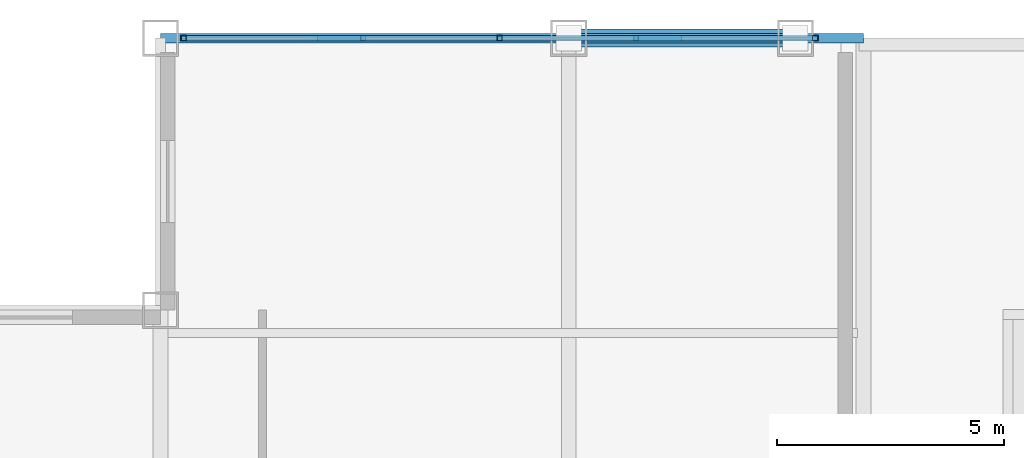
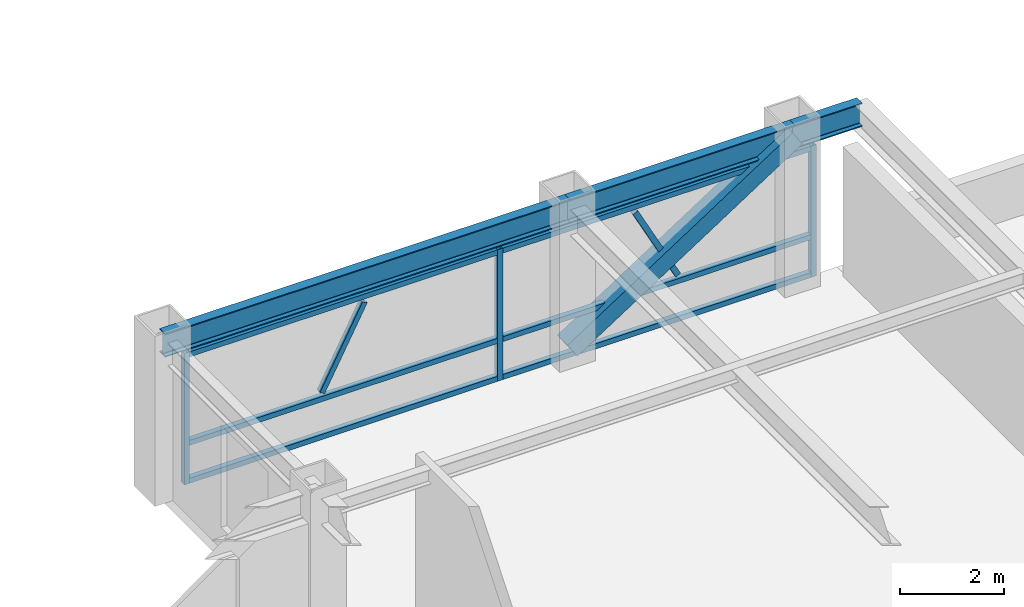
# One storey, part 19 of 29: 12 members, 3 beams, 1 element without a shape of its own.
"""IFC4 building model written with IfcOpenShell, lengths in metres."""

import ifcopenshell
import ifcopenshell.guid

model = None  # the IFC model being written
_history = None  # IfcOwnerHistory: only IFC2X3 demands one
_inside = {}  # id of a spatial element -> (the spatial element, [elements in it])
_under = {}  # id of a project, library or spatial element -> (it, [spatial elements below it])
_declared = {}  # id of a project -> (the project, [libraries it declares])
_typed = {}  # id of a type object -> (the type object, [elements of that type])
_made_of = {}  # id of a material, layer set ... -> (it, [elements and type objects made of it])


def new_model(schema):
    """Start an empty IFC model of exactly this schema.

    Asked for "IFC4X3", IfcOpenShell would pick the latest addendum, in which some entities
    have other attributes; the version numbers below select the first issue.
    IFC2X3 requires an IfcOwnerHistory on every rooted entity: one is made here for all.
    """
    global model, _history
    if schema == "IFC4X3":
        model = ifcopenshell.file(schema_version=(4, 3, 0, 0))
    else:
        model = ifcopenshell.file(schema=schema)
    _inside.clear()
    _under.clear()
    _declared.clear()
    _typed.clear()
    _made_of.clear()
    _history = None
    if model.schema == "IFC2X3":
        org = make("IfcOrganization", Name="unknown")
        user = make(
            "IfcPersonAndOrganization",
            ThePerson=make("IfcPerson", FamilyName="unknown"),
            TheOrganization=org,
        )
        app = make(
            "IfcApplication",
            ApplicationDeveloper=org,
            Version="unknown",
            ApplicationFullName="unknown",
            ApplicationIdentifier="unknown",
        )
        _history = make(
            "IfcOwnerHistory",
            OwningUser=user,
            OwningApplication=app,
            ChangeAction="ADDED",
            CreationDate=0,
        )
    return model


def make(cls, **values):
    """One entity of the class cls with the attributes given. An attribute that is None is left unset."""
    return model.create_entity(
        cls, **{name: value for name, value in values.items() if value is not None}
    )


def rooted(cls, **values):
    """An entity with a GlobalId (a new one), such as an element, a storey or a relation."""
    return make(cls, GlobalId=ifcopenshell.guid.new(), OwnerHistory=_history, **values)


def si_unit(unit_type, name, prefix=None):
    """IfcSIUnit, for example si_unit("LENGTHUNIT", "METRE", prefix="MILLI")."""
    return make("IfcSIUnit", UnitType=unit_type, Prefix=prefix, Name=name)


def assignment(units):
    """IfcUnitAssignment: the units of a project."""
    return None if units is None else make("IfcUnitAssignment", Units=units)


def point(xyz):
    """IfcCartesianPoint."""
    return None if xyz is None else make("IfcCartesianPoint", Coordinates=xyz)


def direction(xyz):
    """IfcDirection."""
    return None if xyz is None else make("IfcDirection", DirectionRatios=xyz)


def frame(location, z_axis=None, x_axis=None):
    """IfcAxis2Placement3D, a coordinate frame: its origin and axes. An axis left out is left unset."""
    return make(
        "IfcAxis2Placement3D",
        Location=point(location),
        Axis=direction(z_axis),
        RefDirection=direction(x_axis),
    )


def frame_2d(location, x_axis=None):
    """IfcAxis2Placement2D, a coordinate frame in the plane: its origin and x axis."""
    return make(
        "IfcAxis2Placement2D", Location=point(location), RefDirection=direction(x_axis)
    )


def origin():
    """The frame at (0, 0, 0) with its axes left unset."""
    return frame((0.0, 0.0, 0.0))


def origin_2d():
    """The frame at (0, 0) in the plane with its x axis left unset."""
    return frame_2d((0.0, 0.0))


def place(relative_to, where):
    """IfcLocalPlacement: puts the frame where relative to a parent placement (None: the world)."""
    return make(
        "IfcLocalPlacement", PlacementRelTo=relative_to, RelativePlacement=where
    )


def context(
    kind, dimensions, precision=None, world=None, true_north=None, identifier=None
):
    """IfcGeometricRepresentationContext, for example the 3D "Model" context."""
    return make(
        "IfcGeometricRepresentationContext",
        ContextIdentifier=identifier,
        ContextType=kind,
        CoordinateSpaceDimension=dimensions,
        Precision=precision,
        WorldCoordinateSystem=world,
        TrueNorth=true_north,
    )


def subcontext(parent, identifier, kind, view, scale=None):
    """IfcGeometricRepresentationSubContext, for example "Body" below "Model"."""
    return make(
        "IfcGeometricRepresentationSubContext",
        ContextIdentifier=identifier,
        ContextType=kind,
        ParentContext=parent,
        TargetScale=scale,
        TargetView=view,
    )


def project(units=None, contexts=None):
    """IfcProject with its units and contexts."""
    return rooted(
        "IfcProject",
        Name="project",
        RepresentationContexts=contexts,
        UnitsInContext=assignment(units),
    )


def spatial(cls, under=None, at=None, **own):
    """A site, building, storey or space (cls), placed at a placement, below another one or the project."""
    s = rooted(cls, ObjectPlacement=at, **own)
    if under is not None:
        _under.setdefault(under.id(), (under, []))[1].append(s)
    return s


def profile(cls, at=None, kind="AREA", **sizes):
    """A parametric profile (cls). Its sizes go by their IFC names, for example OverallWidth=200.0."""
    return make(cls, ProfileType=kind, Position=at, **sizes)


def hollow_rectangle(**sizes):
    """IfcRectangleHollowProfileDef."""
    return profile("IfcRectangleHollowProfileDef", **sizes)


def i_section(**sizes):
    """IfcIShapeProfileDef."""
    return profile("IfcIShapeProfileDef", **sizes)


def extrude(swept, where, along, depth):
    """IfcExtrudedAreaSolid: the profile swept, set in the frame where, extruded along a direction by depth."""
    return make(
        "IfcExtrudedAreaSolid",
        SweptArea=swept,
        Position=where,
        ExtrudedDirection=direction(along),
        Depth=depth,
    )


def shape(context_of_items, identifier, shape_type, items):
    """IfcShapeRepresentation: the items that make up one representation, for example the "Body"."""
    return make(
        "IfcShapeRepresentation",
        ContextOfItems=context_of_items,
        RepresentationIdentifier=identifier,
        RepresentationType=shape_type,
        Items=items,
    )


def source(mapping_origin, context_of_items, identifier, shape_type, items):
    """IfcRepresentationMap: a shape defined once, which mapped items show again and again."""
    return make(
        "IfcRepresentationMap",
        MappingOrigin=mapping_origin,
        MappedRepresentation=shape(context_of_items, identifier, shape_type, items),
    )


def transform(
    local_origin,
    x_axis=None,
    y_axis=None,
    z_axis=None,
    scale=None,
    scale2=None,
    scale3=None,
    uniform=True,
):
    """IfcCartesianTransformationOperator3D, or its non-uniform kind. x_axis, y_axis, z_axis: its Axis1, 2, 3."""
    if uniform:
        return make(
            "IfcCartesianTransformationOperator3D",
            Axis1=direction(x_axis),
            Axis2=direction(y_axis),
            LocalOrigin=point(local_origin),
            Scale=scale,
            Axis3=direction(z_axis),
        )
    return make(
        "IfcCartesianTransformationOperator3DnonUniform",
        Axis1=direction(x_axis),
        Axis2=direction(y_axis),
        LocalOrigin=point(local_origin),
        Scale=scale,
        Axis3=direction(z_axis),
        Scale2=scale2,
        Scale3=scale3,
    )


def mapped(mapping_source, mapping_target):
    """IfcMappedItem: shows the shape of a source again, moved by a transform."""
    return make(
        "IfcMappedItem", MappingSource=mapping_source, MappingTarget=mapping_target
    )


def material(Name=None, Category=None):
    """IfcMaterial."""
    return make("IfcMaterial", Name=Name, Category=Category)


def material_profile(
    of_material, cross_section, Name=None, Category=None, Priority=None
):
    """IfcMaterialProfile: a cross section and its material."""
    return make(
        "IfcMaterialProfile",
        Name=Name,
        Material=of_material,
        Profile=cross_section,
        Priority=Priority,
        Category=Category,
    )


def profile_set(profiles, Name=None, composite=None):
    """IfcMaterialProfileSet."""
    return make(
        "IfcMaterialProfileSet",
        Name=Name,
        MaterialProfiles=profiles,
        CompositeProfile=composite,
    )


def made_of(thing, what):
    """Note that an element or type object is made of a material, layer set ...; save() writes the relation."""
    if what is not None:
        _made_of.setdefault(what.id(), (what, []))[1].append(thing)
    return thing


def type_object(cls, material=None, **own):
    """A type object (cls), such as IfcWallType, which elements share."""
    return made_of(rooted(cls, **own), material)


def element(
    cls,
    number,
    at=None,
    inside=None,
    cuts=None,
    type_object=None,
    material=None,
    context=None,
    identifier="Body",
    shape_type=None,
    held_by="IfcProductDefinitionShape",
    body=None,
    shapes=None,
    **own,
):
    """One element of the class cls, such as IfcWall. Its Tag is "e" and its number.

    at: its placement. inside: the storey or other place that contains it. cuts: it is an
    opening in that element (IfcRelVoidsElement). A single representation is given by context,
    identifier, shape_type and body (its items); several are given by shapes. held_by: the class
    of the entity that holds the representations. save() writes the other relations.
    """
    e = rooted(cls, Tag="e%d" % number, ObjectPlacement=at, **own)
    if body is not None:
        shapes = [shape(context, identifier, shape_type, body)]
    if shapes is not None:
        e.Representation = make(held_by, Representations=shapes)
    if inside is not None:
        _inside.setdefault(inside.id(), (inside, []))[1].append(e)
    if cuts is not None:
        rooted(
            "IfcRelVoidsElement", RelatingBuildingElement=cuts, RelatedOpeningElement=e
        )
    if type_object is not None:
        _typed.setdefault(type_object.id(), (type_object, []))[1].append(e)
    return made_of(e, material)


def aggregate(whole, parts):
    """IfcRelAggregates: a whole, such as a stair, and the parts it consists of."""
    return rooted("IfcRelAggregates", RelatingObject=whole, RelatedObjects=parts)


def save(model, path):
    """Write the relations noted so far, then the file.

    IfcRelAggregates (storeys below a building ...), IfcRelContainedInSpatialStructure (elements
    in a storey), IfcRelDefinesByType, IfcRelAssociatesMaterial and IfcRelDeclares: one each for
    every whole, place, type object, material and project.
    """
    for whole, parts in _under.values():
        aggregate(whole, parts)
    for where, things in _inside.values():
        rooted(
            "IfcRelContainedInSpatialStructure",
            RelatedElements=things,
            RelatingStructure=where,
        )
    for kind, things in _typed.values():
        rooted("IfcRelDefinesByType", RelatedObjects=things, RelatingType=kind)
    for what, things in _made_of.values():
        rooted("IfcRelAssociatesMaterial", RelatedObjects=things, RelatingMaterial=what)
    for by, libraries in _declared.values():
        rooted("IfcRelDeclares", RelatingContext=by, RelatedDefinitions=libraries)
    model.write(path)


model = new_model("IFC4")

# Units and contexts
model_context = context("Model", 3, precision=1e-05, world=origin(), true_north=direction((0.0, 1.0)))
body_context = subcontext(model_context, "Body", "Model", "MODEL_VIEW")
ifc_project = project(units=[si_unit("LENGTHUNIT", "METRE"), si_unit("AREAUNIT", "SQUARE_METRE"), si_unit("VOLUMEUNIT", "CUBIC_METRE"), si_unit("PLANEANGLEUNIT", "RADIAN"), si_unit("MASSUNIT", "GRAM", prefix="KILO")], contexts=[model_context])

# Site, building, storey
site_placement = place(None, origin())
site = spatial("IfcSite", under=ifc_project, at=site_placement, CompositionType="ELEMENT")
building_placement = place(site_placement, origin())
building = spatial("IfcBuilding", under=site, at=building_placement, Name="Khorayat Bourse Tower", CompositionType="ELEMENT")
storey_placement = place(building_placement, frame((0.0, 0.0, 346.300048828125)))
storey = spatial("IfcBuildingStorey", under=building, at=storey_placement, Name="L82", CompositionType="ELEMENT", Elevation=346.300048828125)

# Beams
ifc_material_1 = material(Name="Steel ASTM A992 Grade 50", Category="steel")
ifc_material_profile_1 = material_profile(ifc_material_1, i_section(OverallWidth=0.214111328125, OverallDepth=0.549072265625, WebThickness=0.0146484375, FlangeThickness=0.023681640625, FilletRadius=0.013916015625, at=origin_2d()), Name="W530X138")
ifc_profile_set_1 = profile_set([ifc_material_profile_1], Name="Steel ASTM A992 Grade 50")
beam_type = type_object("IfcBeamType", Name="BM-SPAN-530", PredefinedType="SPANDREL", material=ifc_profile_set_1)
shared_shape_1 = source(origin(), body_context, "Body", "SweptSolid", [
    extrude(i_section(OverallWidth=0.214111328125, OverallDepth=0.549072265625, WebThickness=0.0146484375, FlangeThickness=0.023681640625, FilletRadius=0.013916015625, at=origin_2d()), origin(), (0.0, 0.0, 1.0), 9.0),
])
beam_1_placement = place(storey_placement, frame((-20.0, 26.0, 3.46533203125), z_axis=(1.0, 0.0, 0.0), x_axis=(0.0, 1.0, 0.0)))
element("IfcBeam", 1, at=beam_1_placement, inside=storey, type_object=beam_type, Name="L82 BM-SPAN-530 BM-L82-SPN-042", PredefinedType="SPANDREL", context=body_context, shape_type="MappedRepresentation", body=[
    mapped(shared_shape_1, transform((0.0, 0.0, 0.0), scale=1.0)),
])
shared_shape_2 = source(origin(), body_context, "Body", "SweptSolid", [
    extrude(i_section(OverallWidth=0.214111328125, OverallDepth=0.549072265625, WebThickness=0.0146484375, FlangeThickness=0.023681640625, FilletRadius=0.013916015625, at=origin_2d()), origin(), (0.0, 0.0, 1.0), 5.0),
])
beam_2_placement = place(storey_placement, frame((-11.0, 26.0, 3.46533203125), z_axis=(1.0, 0.0, 0.0), x_axis=(0.0, 1.0, 0.0)))
element("IfcBeam", 2, at=beam_2_placement, inside=storey, type_object=beam_type, Name="L82 BM-SPAN-530 BM-L82-SPN-041", PredefinedType="SPANDREL", context=body_context, shape_type="MappedRepresentation", body=[
    mapped(shared_shape_2, transform((0.0, 0.0, 0.0), scale=1.0)),
])

# Member
ifc_material_2 = material(Name="Steel EN 10025-4 S460M", Category="steel")
ifc_material_profile_2 = material_profile(ifc_material_2, hollow_rectangle(XDim=0.39990234375, YDim=0.39990234375, WallThickness=0.02197265625, at=origin_2d()), Name="HSS 400x400x22")
ifc_profile_set_2 = profile_set([ifc_material_profile_2], Name="Steel EN 10025-4 S460M")
member_type_1 = type_object("IfcMemberType", Name="MBR-TUBE-400", PredefinedType="BRACE", material=ifc_profile_set_2)
shared_shape_3 = source(origin(), body_context, "Body", "SweptSolid", [
    extrude(hollow_rectangle(XDim=0.39990234375, YDim=0.39990234375, WallThickness=0.02197265625, at=origin_2d()), origin(), (0.0, 0.0, 1.0), 5.9580078125),
])
member_1_placement = place(storey_placement, frame((-11.0, 26.0, 0.25), z_axis=(0.839210474455, 0.0, 0.543806748364), x_axis=(0.0, 1.0, 0.0)))
element("IfcMember", 3, at=member_1_placement, inside=storey, type_object=member_type_1, Name="L82 Perimeter Tube Brace 03", PredefinedType="BRACE", context=body_context, shape_type="MappedRepresentation", body=[
    mapped(shared_shape_3, transform((0.0, 0.0, 0.0), scale=1.0)),
])

# Beam
shared_shape_4 = source(origin(), body_context, "Body", "SweptSolid", [
    extrude(i_section(OverallWidth=0.214111328125, OverallDepth=0.549072265625, WebThickness=0.0146484375, FlangeThickness=0.023681640625, FilletRadius=0.013916015625, at=origin_2d()), origin(), (0.0, 0.0, 1.0), 1.5),
])
beam_3_placement = place(storey_placement, frame((-6.0, 26.0, 3.46533203125), z_axis=(1.0, 0.0, 0.0), x_axis=(0.0, 1.0, 0.0)))
element("IfcBeam", 4, at=beam_3_placement, inside=storey, type_object=beam_type, Name="L82 BM-SPAN-530 BM-L82-SPN-040", PredefinedType="SPANDREL", context=body_context, shape_type="MappedRepresentation", body=[
    mapped(shared_shape_4, transform((0.0, 0.0, 0.0), scale=1.0)),
])

# Curtain wall, members
ifc_material_3 = material(Name="Aluminium EN AW-6063 T6", Category="aluminium")
curtain_wall_type = type_object("IfcCurtainWallType", Name="CW-SYS-06", PredefinedType="NOTDEFINED", material=ifc_material_3)
curtain_wall_placement = place(storey_placement, origin())
curtain_wall = element("IfcCurtainWall", 5, at=curtain_wall_placement, inside=storey, type_object=curtain_wall_type, Name="L82 Curtain Wall CW-L82-N1", PredefinedType="NOTDEFINED")
ifc_material_profile_3 = material_profile(ifc_material_3, hollow_rectangle(XDim=0.1201171875, YDim=0.1201171875, WallThickness=0.0048828125, at=origin_2d()), Name="ALU 120x120x5")
ifc_profile_set_3 = profile_set([ifc_material_profile_3], Name="Aluminium EN AW-6063 T6")
member_type_2 = type_object("IfcMemberType", Name="CWM-VERT-120", PredefinedType="MULLION", material=ifc_profile_set_3)
shared_shape_5 = source(origin(), body_context, "Body", "SweptSolid", [
    extrude(hollow_rectangle(XDim=0.1201171875, YDim=0.1201171875, WallThickness=0.0048828125, at=origin_2d()), origin(), (0.0, 0.0, 1.0), 3.08984375),
])
member_2_placement = place(storey_placement, frame((-5.56005859375, 26.0, 0.0), z_axis=(0.0, 0.0, 1.0), x_axis=(0.0, -1.0, 0.0)))
member_2 = element("IfcMember", 6, at=member_2_placement, type_object=member_type_2, Name="CW-L82-N1 Vertical Mullion 1", PredefinedType="MULLION", context=body_context, shape_type="MappedRepresentation", body=[
    mapped(shared_shape_5, transform((0.0, 0.0, 0.0), scale=1.0)),
])
member_3_placement = place(storey_placement, frame((-12.52490234375, 26.0, 0.0), z_axis=(0.0, 0.0, 1.0), x_axis=(0.0, -1.0, 0.0)))
member_3 = element("IfcMember", 7, at=member_3_placement, type_object=member_type_2, Name="CW-L82-N1 Vertical Mullion 2", PredefinedType="MULLION", context=body_context, shape_type="MappedRepresentation", body=[
    mapped(shared_shape_5, transform((0.0, 0.0, 0.0), scale=1.0)),
])
member_4_placement = place(storey_placement, frame((-19.489990234375, 26.0, 0.0), z_axis=(0.0, 0.0, 1.0), x_axis=(0.0, -1.0, 0.0)))
member_4 = element("IfcMember", 8, at=member_4_placement, type_object=member_type_2, Name="CW-L82-N1 Vertical Mullion 3", PredefinedType="MULLION", context=body_context, shape_type="MappedRepresentation", body=[
    mapped(shared_shape_5, transform((0.0, 0.0, 0.0), scale=1.0)),
])
ifc_material_profile_4 = material_profile(ifc_material_3, hollow_rectangle(XDim=0.1201171875, YDim=0.1201171875, WallThickness=0.0048828125, at=origin_2d()), Name="ALU 120x120x5")
ifc_profile_set_4 = profile_set([ifc_material_profile_4], Name="Aluminium EN AW-6063 T6")
member_type_3 = type_object("IfcMemberType", Name="CWM-DIAG-120", PredefinedType="MULLION", material=ifc_profile_set_4)
shared_shape_6 = source(origin(), body_context, "Body", "SweptSolid", [
    extrude(hollow_rectangle(XDim=0.1201171875, YDim=0.1201171875, WallThickness=0.0048828125, at=origin_2d()), origin(), (0.0, 0.0, 1.0), 2.0341796875),
])
member_5_placement = place(storey_placement, frame((-8.56884765625, 26.0, 1.08984375), z_axis=(-0.465696964104, 0.0, 0.884944256789), x_axis=(0.0, -1.0, 0.0)))
member_5 = element("IfcMember", 9, at=member_5_placement, type_object=member_type_3, Name="CW-L82-N1 Faceted Diagonal Mullion 1", PredefinedType="MULLION", context=body_context, shape_type="MappedRepresentation", body=[
    mapped(shared_shape_6, transform((0.0, 0.0, 0.0), scale=1.0)),
])
member_6_placement = place(storey_placement, frame((-16.481201171875, 26.0, 1.08984375), z_axis=(0.465696964104, 0.0, 0.884944256789), x_axis=(0.0, 1.0, 0.0)))
member_6 = element("IfcMember", 10, at=member_6_placement, type_object=member_type_3, Name="CW-L82-N1 Faceted Diagonal Mullion 2", PredefinedType="MULLION", context=body_context, shape_type="MappedRepresentation", body=[
    mapped(shared_shape_6, transform((0.0, 0.0, 0.0), scale=1.0)),
])
ifc_material_profile_5 = material_profile(ifc_material_3, hollow_rectangle(XDim=0.1201171875, YDim=0.1201171875, WallThickness=0.0048828125, at=origin_2d()), Name="ALU 120x120x5")
ifc_profile_set_5 = profile_set([ifc_material_profile_5], Name="Aluminium EN AW-6063 T6")
member_type_4 = type_object("IfcMemberType", Name="CWT-HORZ-120", PredefinedType="USERDEFINED", material=ifc_profile_set_5)
shared_shape_7 = source(origin(), body_context, "Body", "SweptSolid", [
    extrude(hollow_rectangle(XDim=0.1201171875, YDim=0.1201171875, WallThickness=0.0048828125, at=origin_2d()), origin(), (0.0, 0.0, 1.0), 6.844970703125),
])
member_7_placement = place(storey_placement, frame((-5.6201171875, 26.0, 0.06005859375), z_axis=(-1.0, 0.0, 0.0), x_axis=(0.0, -1.0, 0.0)))
member_7 = element("IfcMember", 11, at=member_7_placement, type_object=member_type_4, Name="CW-L82-N1 Horizontal Transom 1-1", ObjectType="TRANSOM", PredefinedType="USERDEFINED", context=body_context, shape_type="MappedRepresentation", body=[
    mapped(shared_shape_7, transform((0.0, 0.0, 0.0), scale=1.0)),
])
member_8_placement = place(storey_placement, frame((-5.6201171875, 26.0, 0.949951171875), z_axis=(-1.0, 0.0, 0.0), x_axis=(0.0, -1.0, 0.0)))
member_8 = element("IfcMember", 12, at=member_8_placement, type_object=member_type_4, Name="CW-L82-N1 Horizontal Transom 1-2", ObjectType="TRANSOM", PredefinedType="USERDEFINED", context=body_context, shape_type="MappedRepresentation", body=[
    mapped(shared_shape_7, transform((0.0, 0.0, 0.0), scale=1.0)),
])
member_9_placement = place(storey_placement, frame((-5.6201171875, 26.0, 3.030029296875), z_axis=(-1.0, 0.0, 0.0), x_axis=(0.0, -1.0, 0.0)))
member_9 = element("IfcMember", 13, at=member_9_placement, type_object=member_type_4, Name="CW-L82-N1 Horizontal Transom 1-3", ObjectType="TRANSOM", PredefinedType="USERDEFINED", context=body_context, shape_type="MappedRepresentation", body=[
    mapped(shared_shape_7, transform((0.0, 0.0, 0.0), scale=1.0)),
])
member_10_placement = place(storey_placement, frame((-12.5849609375, 26.0, 0.06005859375), z_axis=(-1.0, 0.0, 0.0), x_axis=(0.0, -1.0, 0.0)))
member_10 = element("IfcMember", 14, at=member_10_placement, type_object=member_type_4, Name="CW-L82-N1 Horizontal Transom 2-1", ObjectType="TRANSOM", PredefinedType="USERDEFINED", context=body_context, shape_type="MappedRepresentation", body=[
    mapped(shared_shape_7, transform((0.0, 0.0, 0.0), scale=1.0)),
])
member_11_placement = place(storey_placement, frame((-12.5849609375, 26.0, 0.949951171875), z_axis=(-1.0, 0.0, 0.0), x_axis=(0.0, -1.0, 0.0)))
member_11 = element("IfcMember", 15, at=member_11_placement, type_object=member_type_4, Name="CW-L82-N1 Horizontal Transom 2-2", ObjectType="TRANSOM", PredefinedType="USERDEFINED", context=body_context, shape_type="MappedRepresentation", body=[
    mapped(shared_shape_7, transform((0.0, 0.0, 0.0), scale=1.0)),
])
member_12_placement = place(storey_placement, frame((-12.5849609375, 26.0, 3.030029296875), z_axis=(-1.0, 0.0, 0.0), x_axis=(0.0, -1.0, 0.0)))
member_12 = element("IfcMember", 16, at=member_12_placement, type_object=member_type_4, Name="CW-L82-N1 Horizontal Transom 2-3", ObjectType="TRANSOM", PredefinedType="USERDEFINED", context=body_context, shape_type="MappedRepresentation", body=[
    mapped(shared_shape_7, transform((0.0, 0.0, 0.0), scale=1.0)),
])
aggregate(curtain_wall, [member_2, member_3, member_4, member_7, member_8, member_9, member_5, member_10, member_11, member_12, member_6])

save(model, "model.ifc")
